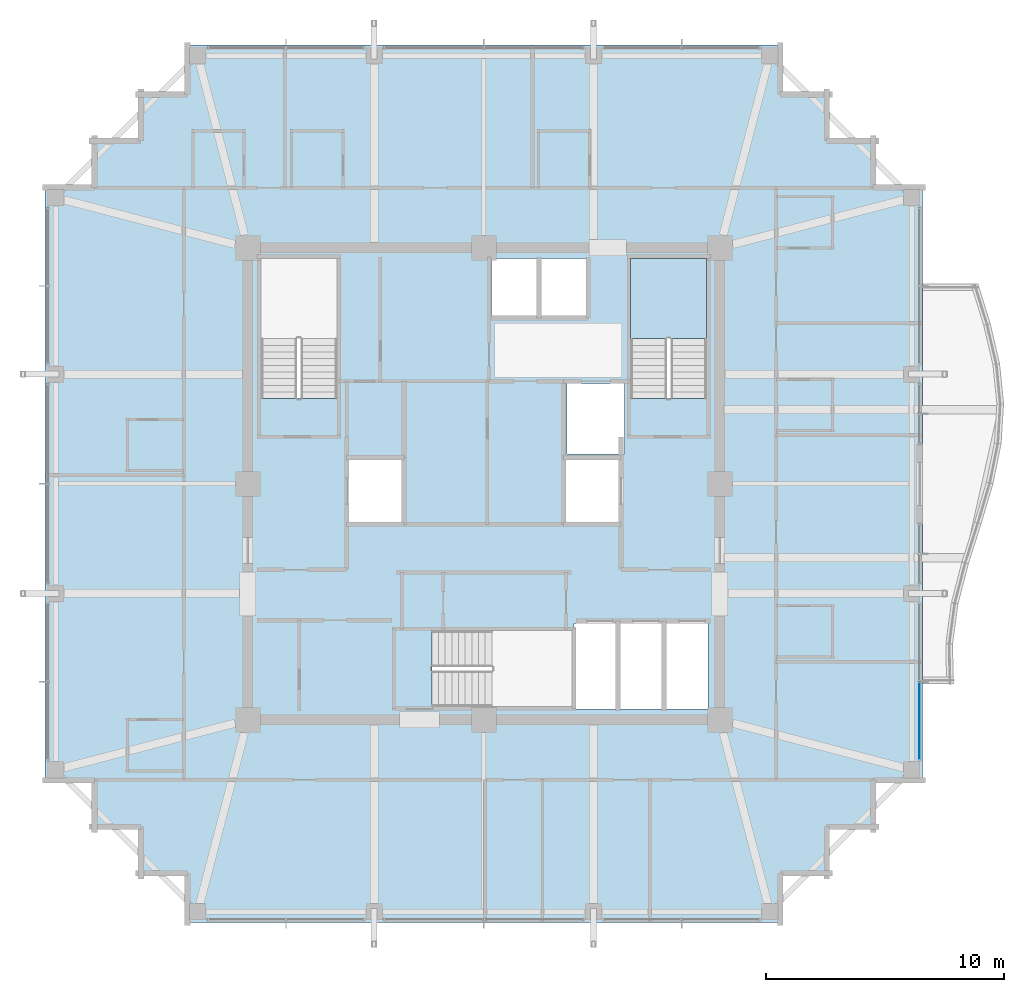
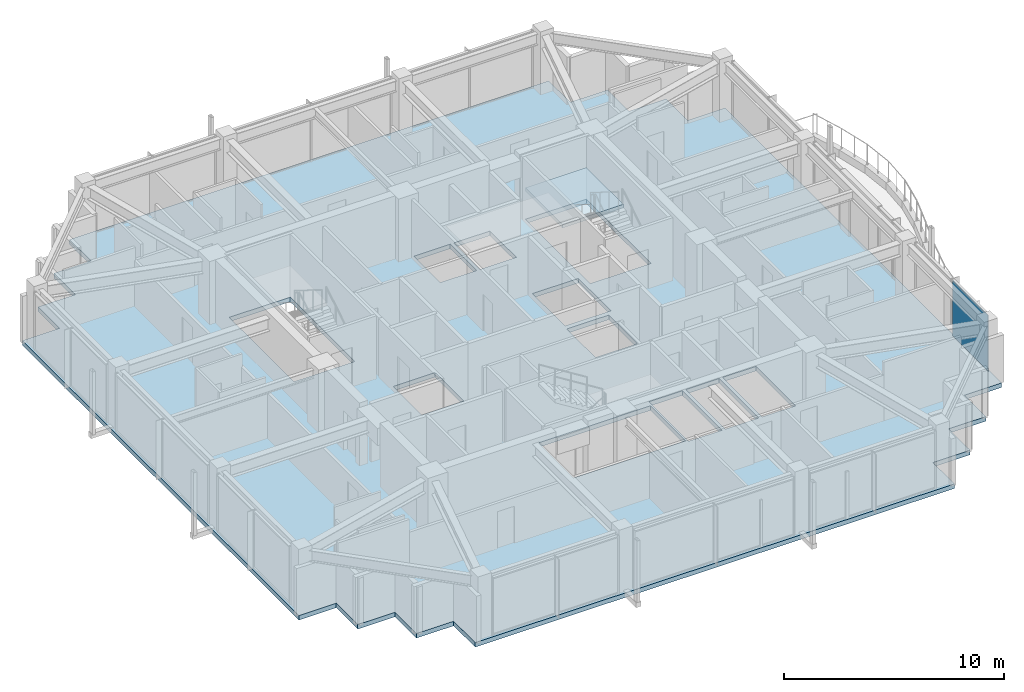
# One storey, part 21 of 29: 2 slabs, 1 plate, 2 elements without a shape of their own.
"""IFC4 building model written with IfcOpenShell, lengths in metres."""

import ifcopenshell
import ifcopenshell.guid

model = None  # the IFC model being written
_history = None  # IfcOwnerHistory: only IFC2X3 demands one
_inside = {}  # id of a spatial element -> (the spatial element, [elements in it])
_under = {}  # id of a project, library or spatial element -> (it, [spatial elements below it])
_declared = {}  # id of a project -> (the project, [libraries it declares])
_typed = {}  # id of a type object -> (the type object, [elements of that type])
_made_of = {}  # id of a material, layer set ... -> (it, [elements and type objects made of it])


def new_model(schema):
    """Start an empty IFC model of exactly this schema.

    Asked for "IFC4X3", IfcOpenShell would pick the latest addendum, in which some entities
    have other attributes; the version numbers below select the first issue.
    IFC2X3 requires an IfcOwnerHistory on every rooted entity: one is made here for all.
    """
    global model, _history
    if schema == "IFC4X3":
        model = ifcopenshell.file(schema_version=(4, 3, 0, 0))
    else:
        model = ifcopenshell.file(schema=schema)
    _inside.clear()
    _under.clear()
    _declared.clear()
    _typed.clear()
    _made_of.clear()
    _history = None
    if model.schema == "IFC2X3":
        org = make("IfcOrganization", Name="unknown")
        user = make(
            "IfcPersonAndOrganization",
            ThePerson=make("IfcPerson", FamilyName="unknown"),
            TheOrganization=org,
        )
        app = make(
            "IfcApplication",
            ApplicationDeveloper=org,
            Version="unknown",
            ApplicationFullName="unknown",
            ApplicationIdentifier="unknown",
        )
        _history = make(
            "IfcOwnerHistory",
            OwningUser=user,
            OwningApplication=app,
            ChangeAction="ADDED",
            CreationDate=0,
        )
    return model


def make(cls, **values):
    """One entity of the class cls with the attributes given. An attribute that is None is left unset."""
    return model.create_entity(
        cls, **{name: value for name, value in values.items() if value is not None}
    )


def rooted(cls, **values):
    """An entity with a GlobalId (a new one), such as an element, a storey or a relation."""
    return make(cls, GlobalId=ifcopenshell.guid.new(), OwnerHistory=_history, **values)


def si_unit(unit_type, name, prefix=None):
    """IfcSIUnit, for example si_unit("LENGTHUNIT", "METRE", prefix="MILLI")."""
    return make("IfcSIUnit", UnitType=unit_type, Prefix=prefix, Name=name)


def assignment(units):
    """IfcUnitAssignment: the units of a project."""
    return None if units is None else make("IfcUnitAssignment", Units=units)


def point(xyz):
    """IfcCartesianPoint."""
    return None if xyz is None else make("IfcCartesianPoint", Coordinates=xyz)


def direction(xyz):
    """IfcDirection."""
    return None if xyz is None else make("IfcDirection", DirectionRatios=xyz)


def frame(location, z_axis=None, x_axis=None):
    """IfcAxis2Placement3D, a coordinate frame: its origin and axes. An axis left out is left unset."""
    return make(
        "IfcAxis2Placement3D",
        Location=point(location),
        Axis=direction(z_axis),
        RefDirection=direction(x_axis),
    )


def frame_2d(location, x_axis=None):
    """IfcAxis2Placement2D, a coordinate frame in the plane: its origin and x axis."""
    return make(
        "IfcAxis2Placement2D", Location=point(location), RefDirection=direction(x_axis)
    )


def origin():
    """The frame at (0, 0, 0) with its axes left unset."""
    return frame((0.0, 0.0, 0.0))


def origin_2d():
    """The frame at (0, 0) in the plane with its x axis left unset."""
    return frame_2d((0.0, 0.0))


def place(relative_to, where):
    """IfcLocalPlacement: puts the frame where relative to a parent placement (None: the world)."""
    return make(
        "IfcLocalPlacement", PlacementRelTo=relative_to, RelativePlacement=where
    )


def context(
    kind, dimensions, precision=None, world=None, true_north=None, identifier=None
):
    """IfcGeometricRepresentationContext, for example the 3D "Model" context."""
    return make(
        "IfcGeometricRepresentationContext",
        ContextIdentifier=identifier,
        ContextType=kind,
        CoordinateSpaceDimension=dimensions,
        Precision=precision,
        WorldCoordinateSystem=world,
        TrueNorth=true_north,
    )


def subcontext(parent, identifier, kind, view, scale=None):
    """IfcGeometricRepresentationSubContext, for example "Body" below "Model"."""
    return make(
        "IfcGeometricRepresentationSubContext",
        ContextIdentifier=identifier,
        ContextType=kind,
        ParentContext=parent,
        TargetScale=scale,
        TargetView=view,
    )


def project(units=None, contexts=None):
    """IfcProject with its units and contexts."""
    return rooted(
        "IfcProject",
        Name="project",
        RepresentationContexts=contexts,
        UnitsInContext=assignment(units),
    )


def spatial(cls, under=None, at=None, **own):
    """A site, building, storey or space (cls), placed at a placement, below another one or the project."""
    s = rooted(cls, ObjectPlacement=at, **own)
    if under is not None:
        _under.setdefault(under.id(), (under, []))[1].append(s)
    return s


def polyline(points):
    """IfcPolyline through the points."""
    return make("IfcPolyline", Points=[point(p) for p in points])


def profile(cls, at=None, kind="AREA", **sizes):
    """A parametric profile (cls). Its sizes go by their IFC names, for example OverallWidth=200.0."""
    return make(cls, ProfileType=kind, Position=at, **sizes)


def rectangle(**sizes):
    """IfcRectangleProfileDef."""
    return profile("IfcRectangleProfileDef", **sizes)


def outline(outer, holes=None, kind="AREA"):
    """IfcArbitraryClosedProfileDef: a profile drawn as a closed curve; with holes, ...WithVoids."""
    if holes is None:
        return make("IfcArbitraryClosedProfileDef", ProfileType=kind, OuterCurve=outer)
    return make(
        "IfcArbitraryProfileDefWithVoids",
        ProfileType=kind,
        OuterCurve=outer,
        InnerCurves=holes,
    )


def extrude(swept, where, along, depth):
    """IfcExtrudedAreaSolid: the profile swept, set in the frame where, extruded along a direction by depth."""
    return make(
        "IfcExtrudedAreaSolid",
        SweptArea=swept,
        Position=where,
        ExtrudedDirection=direction(along),
        Depth=depth,
    )


def shape(context_of_items, identifier, shape_type, items):
    """IfcShapeRepresentation: the items that make up one representation, for example the "Body"."""
    return make(
        "IfcShapeRepresentation",
        ContextOfItems=context_of_items,
        RepresentationIdentifier=identifier,
        RepresentationType=shape_type,
        Items=items,
    )


def material(Name=None, Category=None):
    """IfcMaterial."""
    return make("IfcMaterial", Name=Name, Category=Category)


def layer(
    of_material, thickness, ventilated=None, Name=None, Category=None, Priority=None
):
    """IfcMaterialLayer: one layer of a wall or slab, of a material (None: an air gap)."""
    return make(
        "IfcMaterialLayer",
        Material=of_material,
        LayerThickness=thickness,
        IsVentilated=ventilated,
        Name=Name,
        Category=Category,
        Priority=Priority,
    )


def layer_set(layers, Name=None):
    """IfcMaterialLayerSet."""
    return make("IfcMaterialLayerSet", MaterialLayers=layers, LayerSetName=Name)


def made_of(thing, what):
    """Note that an element or type object is made of a material, layer set ...; save() writes the relation."""
    if what is not None:
        _made_of.setdefault(what.id(), (what, []))[1].append(thing)
    return thing


def type_object(cls, material=None, **own):
    """A type object (cls), such as IfcWallType, which elements share."""
    return made_of(rooted(cls, **own), material)


def element(
    cls,
    number,
    at=None,
    inside=None,
    cuts=None,
    type_object=None,
    material=None,
    context=None,
    identifier="Body",
    shape_type=None,
    held_by="IfcProductDefinitionShape",
    body=None,
    shapes=None,
    **own,
):
    """One element of the class cls, such as IfcWall. Its Tag is "e" and its number.

    at: its placement. inside: the storey or other place that contains it. cuts: it is an
    opening in that element (IfcRelVoidsElement). A single representation is given by context,
    identifier, shape_type and body (its items); several are given by shapes. held_by: the class
    of the entity that holds the representations. save() writes the other relations.
    """
    e = rooted(cls, Tag="e%d" % number, ObjectPlacement=at, **own)
    if body is not None:
        shapes = [shape(context, identifier, shape_type, body)]
    if shapes is not None:
        e.Representation = make(held_by, Representations=shapes)
    if inside is not None:
        _inside.setdefault(inside.id(), (inside, []))[1].append(e)
    if cuts is not None:
        rooted(
            "IfcRelVoidsElement", RelatingBuildingElement=cuts, RelatedOpeningElement=e
        )
    if type_object is not None:
        _typed.setdefault(type_object.id(), (type_object, []))[1].append(e)
    return made_of(e, material)


def aggregate(whole, parts):
    """IfcRelAggregates: a whole, such as a stair, and the parts it consists of."""
    return rooted("IfcRelAggregates", RelatingObject=whole, RelatedObjects=parts)


def save(model, path):
    """Write the relations noted so far, then the file.

    IfcRelAggregates (storeys below a building ...), IfcRelContainedInSpatialStructure (elements
    in a storey), IfcRelDefinesByType, IfcRelAssociatesMaterial and IfcRelDeclares: one each for
    every whole, place, type object, material and project.
    """
    for whole, parts in _under.values():
        aggregate(whole, parts)
    for where, things in _inside.values():
        rooted(
            "IfcRelContainedInSpatialStructure",
            RelatedElements=things,
            RelatingStructure=where,
        )
    for kind, things in _typed.values():
        rooted("IfcRelDefinesByType", RelatedObjects=things, RelatingType=kind)
    for what, things in _made_of.values():
        rooted("IfcRelAssociatesMaterial", RelatedObjects=things, RelatingMaterial=what)
    for by, libraries in _declared.values():
        rooted("IfcRelDeclares", RelatingContext=by, RelatedDefinitions=libraries)
    model.write(path)


model = new_model("IFC4")

# Units and contexts
model_context = context("Model", 3, precision=1e-05, world=origin(), true_north=direction((0.0, 1.0)))
body_context = subcontext(model_context, "Body", "Model", "MODEL_VIEW")
ifc_project = project(units=[si_unit("LENGTHUNIT", "METRE"), si_unit("AREAUNIT", "SQUARE_METRE"), si_unit("VOLUMEUNIT", "CUBIC_METRE"), si_unit("PLANEANGLEUNIT", "RADIAN"), si_unit("MASSUNIT", "GRAM", prefix="KILO")], contexts=[model_context])

# Site, building, storey
site_placement = place(None, origin())
site = spatial("IfcSite", under=ifc_project, at=site_placement, CompositionType="ELEMENT")
building_placement = place(site_placement, origin())
building = spatial("IfcBuilding", under=site, at=building_placement, Name="Kolvaren Belvedere", CompositionType="ELEMENT")
storey_placement = place(building_placement, frame((0.0, 0.0, 244.39990234375)))
storey = spatial("IfcBuildingStorey", under=building, at=storey_placement, Name="L71", CompositionType="ELEMENT", Elevation=244.39990234375)

# Curtain wall, plate
ifc_material_1 = material(Name="Anodised pale-metal aluminium AA 6063-T6", Category="aluminium")
curtain_wall_type = type_object("IfcCurtainWallType", Name="CW-Z5-HIGH", PredefinedType="NOTDEFINED", material=ifc_material_1)
curtain_wall_placement = place(storey_placement, origin())
curtain_wall = element("IfcCurtainWall", 1, at=curtain_wall_placement, inside=storey, type_object=curtain_wall_type, Name="L71 Unitised Curtain Wall FCW-L71-E2-B2", PredefinedType="NOTDEFINED")
ifc_material_2 = material(Name="Low-iron triple insulated glass", Category="glass")
ifc_layer_1 = layer(ifc_material_2, 0.028076171875)
ifc_layer_set_1 = layer_set([ifc_layer_1], Name="Low-iron triple insulated glass")
plate_type = type_object("IfcPlateType", Name="CW-PNL-VIS28", PredefinedType="CURTAIN_PANEL", material=ifc_layer_set_1)
plate_placement = place(storey_placement, frame((18.280029296875, -9.947509765625, 0.080078125), z_axis=(0.0, 0.0, 1.0), x_axis=(0.0, -1.0, 0.0)))
plate = element("IfcPlate", 2, at=plate_placement, type_object=plate_type, Name="FCW-L71-E2-B2 Vision Glazing Panel 2", PredefinedType="CURTAIN_PANEL", context=body_context, shape_type="SweptSolid", body=[
    extrude(rectangle(XDim=3.215087890625, YDim=0.028076171875, at=origin_2d()), origin(), (0.0, 0.0, 1.0), 3.090087890625),
])
aggregate(curtain_wall, [plate])

# Slab
ifc_material_3 = material(Name="Concrete C50/60", Category="concrete")
ifc_layer_2 = layer(ifc_material_3, 0.25)
ifc_layer_set_2 = layer_set([ifc_layer_2], Name="Concrete C50/60")
slab_type_1 = type_object("IfcSlabType", Name="SL-FLR-250", PredefinedType="FLOOR", material=ifc_layer_set_2)
slab_1_placement = place(storey_placement, frame((0.0, 0.0, -0.25)))
element("IfcSlab", 3, at=slab_1_placement, inside=storey, type_object=slab_type_1, Name="L71 Primary Structural Slab", PredefinedType="FLOOR", context=body_context, shape_type="SweptSolid", body=[
    extrude(outline(polyline([(-12.550048828125, -18.39990234375), (12.550048828125, -18.39990234375), (12.550048828125, -16.449951171875), (14.5, -16.449951171875), (14.5, -14.5), (16.449951171875, -14.5), (16.449951171875, -12.550048828125), (18.39990234375, -12.550048828125), (18.39990234375, 12.550048828125), (16.449951171875, 12.550048828125), (16.449951171875, 14.5), (14.5, 14.5), (14.5, 16.449951171875), (12.550048828125, 16.449951171875), (12.550048828125, 18.39990234375), (-12.550048828125, 18.39990234375), (-12.550048828125, 16.449951171875), (-14.5, 16.449951171875), (-14.5, 14.5), (-16.449951171875, 14.5), (-16.449951171875, 12.550048828125), (-18.39990234375, 12.550048828125), (-18.39990234375, -12.550048828125), (-16.449951171875, -12.550048828125), (-16.449951171875, -14.5), (-14.5, -14.5), (-14.5, -16.449951171875), (-12.550048828125, -16.449951171875), (-12.550048828125, -18.39990234375)]), holes=[polyline([(-9.35009765625, 3.580078125), (-6.159912109375, 3.580078125), (-6.159912109375, 9.449951171875), (-9.35009765625, 9.449951171875), (-9.35009765625, 3.580078125)]), polyline([(6.159912109375, 3.580078125), (9.35009765625, 3.580078125), (9.35009765625, 9.449951171875), (6.159912109375, 9.449951171875), (6.159912109375, 3.580078125)]), polyline([(-2.169921875, -9.35009765625), (3.699951171875, -9.35009765625), (3.699951171875, -6.159912109375), (-2.169921875, -6.159912109375), (-2.169921875, -9.35009765625)]), polyline([(-5.64990234375, -1.60009765625), (-3.449951171875, -1.60009765625), (-3.449951171875, 1.0), (-5.64990234375, 1.0), (-5.64990234375, -1.60009765625)]), polyline([(3.5, 1.25), (5.89990234375, 1.25), (5.89990234375, 4.199951171875), (3.5, 4.199951171875), (3.5, 1.25)]), polyline([(3.449951171875, -1.60009765625), (5.64990234375, -1.60009765625), (5.64990234375, 1.0), (3.449951171875, 1.0), (3.449951171875, -1.60009765625)]), polyline([(3.7900390625, -9.449951171875), (5.5400390625, -9.449951171875), (5.5400390625, -5.85009765625), (3.7900390625, -5.85009765625), (3.7900390625, -9.449951171875)]), polyline([(5.719970703125, -9.449951171875), (7.469970703125, -9.449951171875), (7.469970703125, -5.85009765625), (5.719970703125, -5.85009765625), (5.719970703125, -9.449951171875)]), polyline([(7.64990234375, -9.449951171875), (9.39990234375, -9.449951171875), (9.39990234375, -5.85009765625), (7.64990234375, -5.85009765625), (7.64990234375, -9.449951171875)]), polyline([(0.320068359375, 7.050048828125), (2.219970703125, 7.050048828125), (2.219970703125, 9.449951171875), (0.320068359375, 9.449951171875), (0.320068359375, 7.050048828125)]), polyline([(2.39990234375, 7.050048828125), (4.300048828125, 7.050048828125), (4.300048828125, 9.449951171875), (2.39990234375, 9.449951171875), (2.39990234375, 7.050048828125)])]), origin(), (0.0, 0.0, 1.0), 0.25),
])

# Stair, slab
ifc_material_4 = material(Name="Concrete C50/60", Category="concrete")
stair_type = type_object("IfcStairType", Name="ST-CORE-1520", PredefinedType="HALF_TURN_STAIR", material=ifc_material_4)
stair_placement = place(storey_placement, origin())
stair = element("IfcStair", 4, at=stair_placement, inside=storey, type_object=stair_type, Name="L71 Protected Exit Stair ST-2", PredefinedType="HALF_TURN_STAIR")
ifc_material_5 = material(Name="Concrete C50/60", Category="concrete")
ifc_layer_3 = layer(ifc_material_5, 0.260009765625)
ifc_layer_set_3 = layer_set([ifc_layer_3], Name="Concrete C50/60")
slab_type_2 = type_object("IfcSlabType", Name="SL-LAND-260", PredefinedType="LANDING", material=ifc_layer_set_3)
slab_2_placement = place(storey_placement, frame((0.0, 0.0, 1.550048828125)))
slab_2 = element("IfcSlab", 5, at=slab_2_placement, type_object=slab_type_2, Name="ST-2 landing 1", PredefinedType="LANDING", context=body_context, shape_type="SweptSolid", body=[
    extrude(outline(polyline([(9.35009765625, 6.090087890625), (9.35009765625, 9.449951171875), (6.159912109375, 9.449951171875), (6.159912109375, 6.090087890625), (9.35009765625, 6.090087890625)])), origin(), (0.0, 0.0, 1.0), 0.199951171875),
])
aggregate(stair, [slab_2])

save(model, "model.ifc")
